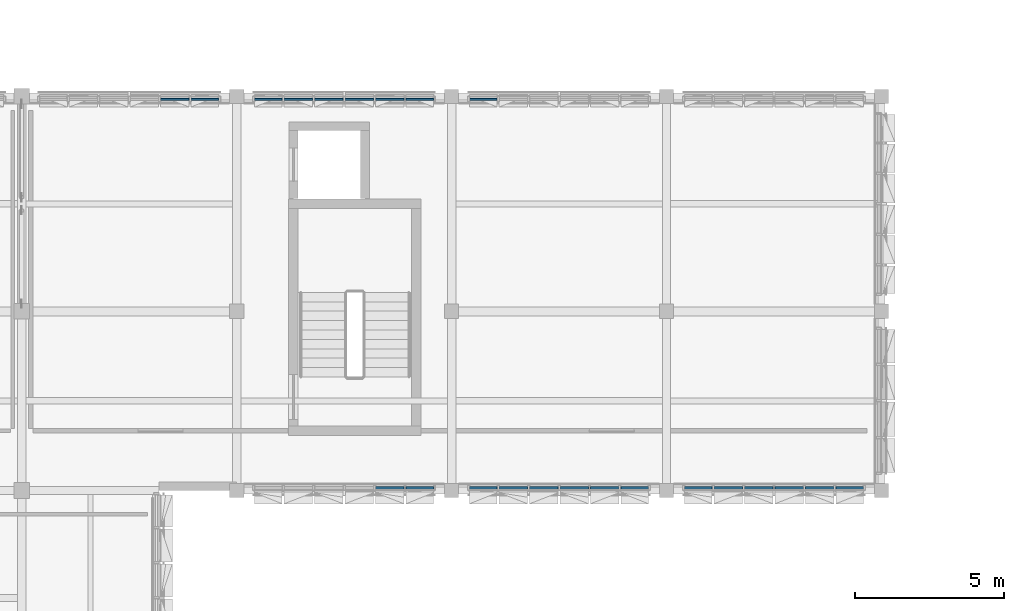
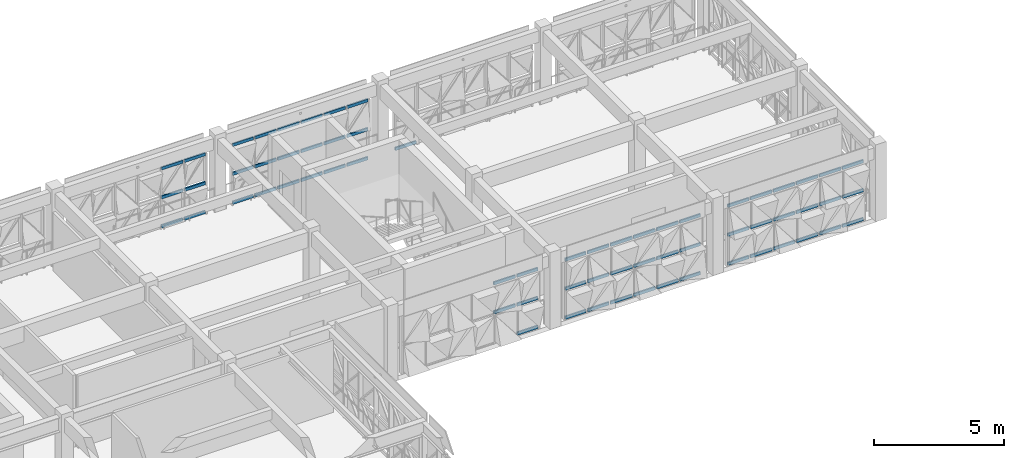
# One storey, part 17 of 48: 66 members, 6 elements without a shape of their own.
"""IFC4 building model written with IfcOpenShell, lengths in metres."""

from ifc_helpers import new_model, si_unit, direction, frame, origin, origin_2d, place, context, subcontext, project, spatial, rectangle, extrude, material, material_profile, profile_set, type_object, element, aggregate, save


model = new_model("IFC4")

# Units and contexts
model_context = context("Model", 3, precision=1e-05, world=origin(), true_north=direction((0.0, 1.0)))
body_context = subcontext(model_context, "Body", "Model", "MODEL_VIEW")
ifc_project = project(units=[si_unit("LENGTHUNIT", "METRE"), si_unit("AREAUNIT", "SQUARE_METRE"), si_unit("VOLUMEUNIT", "CUBIC_METRE"), si_unit("PLANEANGLEUNIT", "RADIAN"), si_unit("MASSUNIT", "GRAM", prefix="KILO")], contexts=[model_context])

# Site, building, storey
site_placement = place(None, origin())
site = spatial("IfcSite", under=ifc_project, at=site_placement, CompositionType="ELEMENT")
building_placement = place(site_placement, origin())
building = spatial("IfcBuilding", under=site, at=building_placement, Name="Alvorim Cloister Faculty of Sciences", CompositionType="ELEMENT")
storey_placement = place(building_placement, frame((0.0, 0.0, 19.35009765625)))
storey = spatial("IfcBuildingStorey", under=building, at=storey_placement, Name="L05", CompositionType="ELEMENT", Elevation=19.35009765625)

# Curtain wall, members
ifc_material_1 = material(Name="Aluminium and Low-E Glass Curtain Wall", Category="aluminium")
curtain_wall_type = type_object("IfcCurtainWallType", Name="CW-TRI-6120x2850", PredefinedType="USERDEFINED", material=ifc_material_1)
curtain_wall_1_placement = place(storey_placement, origin())
curtain_wall_1 = element("IfcCurtainWall", 1, at=curtain_wall_1_placement, inside=storey, type_object=curtain_wall_type, Name="L05 Diagonal Cassette Curtain Wall CW-0223", ObjectType="UNITISED CURTAIN WALL", PredefinedType="USERDEFINED")
ifc_material_2 = material(Name="Aluminium Alloy 6063-T6", Category="aluminium")
ifc_material_profile = material_profile(ifc_material_2, rectangle(XDim=0.06494140625, YDim=0.139892578125, at=origin_2d()), Name="ALU-TRN-65x140")
ifc_profile_set = profile_set([ifc_material_profile], Name="Aluminium Alloy 6063-T6")
member_type = type_object("IfcMemberType", Name="CW-TRN-65x140", PredefinedType="USERDEFINED", material=ifc_profile_set)
member_1_placement = place(storey_placement, frame((33.452392578125, 56.31005859375, 0.06982421875), z_axis=(1.0, 0.0, 0.0), x_axis=(0.0, 1.0, 0.0)))
member_1 = element("IfcMember", 2, at=member_1_placement, type_object=member_type, Name="CW-0223 Transom 5.1", ObjectType="TRANSOM", PredefinedType="USERDEFINED", context=body_context, shape_type="SweptSolid", body=[
    extrude(rectangle(XDim=0.06494140625, YDim=0.139892578125, at=origin_2d()), origin(), (0.0, 0.0, 1.0), 0.955078125),
])
member_2_placement = place(storey_placement, frame((33.452392578125, 56.31005859375, 1.4248046875), z_axis=(1.0, 0.0, 0.0), x_axis=(0.0, 1.0, 0.0)))
member_2 = element("IfcMember", 3, at=member_2_placement, type_object=member_type, Name="CW-0223 Transom 5.2", ObjectType="TRANSOM", PredefinedType="USERDEFINED", context=body_context, shape_type="SweptSolid", body=[
    extrude(rectangle(XDim=0.06494140625, YDim=0.139892578125, at=origin_2d()), origin(), (0.0, 0.0, 1.0), 0.955078125),
])
member_3_placement = place(storey_placement, frame((33.452392578125, 56.31005859375, 2.77978515625), z_axis=(1.0, 0.0, 0.0), x_axis=(0.0, 1.0, 0.0)))
member_3 = element("IfcMember", 4, at=member_3_placement, type_object=member_type, Name="CW-0223 Transom 5.3", ObjectType="TRANSOM", PredefinedType="USERDEFINED", context=body_context, shape_type="SweptSolid", body=[
    extrude(rectangle(XDim=0.06494140625, YDim=0.139892578125, at=origin_2d()), origin(), (0.0, 0.0, 1.0), 0.955078125),
])
member_4_placement = place(storey_placement, frame((34.472412109375, 56.31005859375, 0.06982421875), z_axis=(1.0, 0.0, 0.0), x_axis=(0.0, 1.0, 0.0)))
member_4 = element("IfcMember", 5, at=member_4_placement, type_object=member_type, Name="CW-0223 Transom 6.1", ObjectType="TRANSOM", PredefinedType="USERDEFINED", context=body_context, shape_type="SweptSolid", body=[
    extrude(rectangle(XDim=0.06494140625, YDim=0.139892578125, at=origin_2d()), origin(), (0.0, 0.0, 1.0), 0.922607421875),
])
member_5_placement = place(storey_placement, frame((34.472412109375, 56.31005859375, 1.4248046875), z_axis=(1.0, 0.0, 0.0), x_axis=(0.0, 1.0, 0.0)))
member_5 = element("IfcMember", 6, at=member_5_placement, type_object=member_type, Name="CW-0223 Transom 6.2", ObjectType="TRANSOM", PredefinedType="USERDEFINED", context=body_context, shape_type="SweptSolid", body=[
    extrude(rectangle(XDim=0.06494140625, YDim=0.139892578125, at=origin_2d()), origin(), (0.0, 0.0, 1.0), 0.922607421875),
])
member_6_placement = place(storey_placement, frame((34.472412109375, 56.31005859375, 2.77978515625), z_axis=(1.0, 0.0, 0.0), x_axis=(0.0, 1.0, 0.0)))
member_6 = element("IfcMember", 7, at=member_6_placement, type_object=member_type, Name="CW-0223 Transom 6.3", ObjectType="TRANSOM", PredefinedType="USERDEFINED", context=body_context, shape_type="SweptSolid", body=[
    extrude(rectangle(XDim=0.06494140625, YDim=0.139892578125, at=origin_2d()), origin(), (0.0, 0.0, 1.0), 0.922607421875),
])
aggregate(curtain_wall_1, [member_1, member_2, member_3, member_4, member_5, member_6])

curtain_wall_2_placement = place(storey_placement, origin())
curtain_wall_2 = element("IfcCurtainWall", 8, at=curtain_wall_2_placement, inside=storey, type_object=curtain_wall_type, Name="L05 Diagonal Cassette Curtain Wall CW-0224", ObjectType="UNITISED CURTAIN WALL", PredefinedType="USERDEFINED")
member_7_placement = place(storey_placement, frame((36.60498046875, 56.31005859375, 0.06982421875), z_axis=(1.0, 0.0, 0.0), x_axis=(0.0, 1.0, 0.0)))
member_7 = element("IfcMember", 9, at=member_7_placement, type_object=member_type, Name="CW-0224 Transom 1.1", ObjectType="TRANSOM", PredefinedType="USERDEFINED", context=body_context, shape_type="SweptSolid", body=[
    extrude(rectangle(XDim=0.06494140625, YDim=0.139892578125, at=origin_2d()), origin(), (0.0, 0.0, 1.0), 0.922607421875),
])
member_8_placement = place(storey_placement, frame((36.60498046875, 56.31005859375, 1.4248046875), z_axis=(1.0, 0.0, 0.0), x_axis=(0.0, 1.0, 0.0)))
member_8 = element("IfcMember", 10, at=member_8_placement, type_object=member_type, Name="CW-0224 Transom 1.2", ObjectType="TRANSOM", PredefinedType="USERDEFINED", context=body_context, shape_type="SweptSolid", body=[
    extrude(rectangle(XDim=0.06494140625, YDim=0.139892578125, at=origin_2d()), origin(), (0.0, 0.0, 1.0), 0.922607421875),
])
member_9_placement = place(storey_placement, frame((36.60498046875, 56.31005859375, 2.77978515625), z_axis=(1.0, 0.0, 0.0), x_axis=(0.0, 1.0, 0.0)))
member_9 = element("IfcMember", 11, at=member_9_placement, type_object=member_type, Name="CW-0224 Transom 1.3", ObjectType="TRANSOM", PredefinedType="USERDEFINED", context=body_context, shape_type="SweptSolid", body=[
    extrude(rectangle(XDim=0.06494140625, YDim=0.139892578125, at=origin_2d()), origin(), (0.0, 0.0, 1.0), 0.922607421875),
])
member_10_placement = place(storey_placement, frame((37.592529296875, 56.31005859375, 0.06982421875), z_axis=(1.0, 0.0, 0.0), x_axis=(0.0, 1.0, 0.0)))
member_10 = element("IfcMember", 12, at=member_10_placement, type_object=member_type, Name="CW-0224 Transom 2.1", ObjectType="TRANSOM", PredefinedType="USERDEFINED", context=body_context, shape_type="SweptSolid", body=[
    extrude(rectangle(XDim=0.06494140625, YDim=0.139892578125, at=origin_2d()), origin(), (0.0, 0.0, 1.0), 0.955078125),
])
member_11_placement = place(storey_placement, frame((37.592529296875, 56.31005859375, 1.4248046875), z_axis=(1.0, 0.0, 0.0), x_axis=(0.0, 1.0, 0.0)))
member_11 = element("IfcMember", 13, at=member_11_placement, type_object=member_type, Name="CW-0224 Transom 2.2", ObjectType="TRANSOM", PredefinedType="USERDEFINED", context=body_context, shape_type="SweptSolid", body=[
    extrude(rectangle(XDim=0.06494140625, YDim=0.139892578125, at=origin_2d()), origin(), (0.0, 0.0, 1.0), 0.955078125),
])
member_12_placement = place(storey_placement, frame((37.592529296875, 56.31005859375, 2.77978515625), z_axis=(1.0, 0.0, 0.0), x_axis=(0.0, 1.0, 0.0)))
member_12 = element("IfcMember", 14, at=member_12_placement, type_object=member_type, Name="CW-0224 Transom 2.3", ObjectType="TRANSOM", PredefinedType="USERDEFINED", context=body_context, shape_type="SweptSolid", body=[
    extrude(rectangle(XDim=0.06494140625, YDim=0.139892578125, at=origin_2d()), origin(), (0.0, 0.0, 1.0), 0.955078125),
])
member_13_placement = place(storey_placement, frame((38.612548828125, 56.31005859375, 0.06982421875), z_axis=(1.0, 0.0, 0.0), x_axis=(0.0, 1.0, 0.0)))
member_13 = element("IfcMember", 15, at=member_13_placement, type_object=member_type, Name="CW-0224 Transom 3.1", ObjectType="TRANSOM", PredefinedType="USERDEFINED", context=body_context, shape_type="SweptSolid", body=[
    extrude(rectangle(XDim=0.06494140625, YDim=0.139892578125, at=origin_2d()), origin(), (0.0, 0.0, 1.0), 0.954833984375),
])
member_14_placement = place(storey_placement, frame((38.612548828125, 56.31005859375, 1.4248046875), z_axis=(1.0, 0.0, 0.0), x_axis=(0.0, 1.0, 0.0)))
member_14 = element("IfcMember", 16, at=member_14_placement, type_object=member_type, Name="CW-0224 Transom 3.2", ObjectType="TRANSOM", PredefinedType="USERDEFINED", context=body_context, shape_type="SweptSolid", body=[
    extrude(rectangle(XDim=0.06494140625, YDim=0.139892578125, at=origin_2d()), origin(), (0.0, 0.0, 1.0), 0.954833984375),
])
member_15_placement = place(storey_placement, frame((38.612548828125, 56.31005859375, 2.77978515625), z_axis=(1.0, 0.0, 0.0), x_axis=(0.0, 1.0, 0.0)))
member_15 = element("IfcMember", 17, at=member_15_placement, type_object=member_type, Name="CW-0224 Transom 3.3", ObjectType="TRANSOM", PredefinedType="USERDEFINED", context=body_context, shape_type="SweptSolid", body=[
    extrude(rectangle(XDim=0.06494140625, YDim=0.139892578125, at=origin_2d()), origin(), (0.0, 0.0, 1.0), 0.954833984375),
])
member_16_placement = place(storey_placement, frame((39.632568359375, 56.31005859375, 0.06982421875), z_axis=(1.0, 0.0, 0.0), x_axis=(0.0, 1.0, 0.0)))
member_16 = element("IfcMember", 18, at=member_16_placement, type_object=member_type, Name="CW-0224 Transom 4.1", ObjectType="TRANSOM", PredefinedType="USERDEFINED", context=body_context, shape_type="SweptSolid", body=[
    extrude(rectangle(XDim=0.06494140625, YDim=0.139892578125, at=origin_2d()), origin(), (0.0, 0.0, 1.0), 0.954833984375),
])
member_17_placement = place(storey_placement, frame((39.632568359375, 56.31005859375, 1.4248046875), z_axis=(1.0, 0.0, 0.0), x_axis=(0.0, 1.0, 0.0)))
member_17 = element("IfcMember", 19, at=member_17_placement, type_object=member_type, Name="CW-0224 Transom 4.2", ObjectType="TRANSOM", PredefinedType="USERDEFINED", context=body_context, shape_type="SweptSolid", body=[
    extrude(rectangle(XDim=0.06494140625, YDim=0.139892578125, at=origin_2d()), origin(), (0.0, 0.0, 1.0), 0.954833984375),
])
member_18_placement = place(storey_placement, frame((39.632568359375, 56.31005859375, 2.77978515625), z_axis=(1.0, 0.0, 0.0), x_axis=(0.0, 1.0, 0.0)))
member_18 = element("IfcMember", 20, at=member_18_placement, type_object=member_type, Name="CW-0224 Transom 4.3", ObjectType="TRANSOM", PredefinedType="USERDEFINED", context=body_context, shape_type="SweptSolid", body=[
    extrude(rectangle(XDim=0.06494140625, YDim=0.139892578125, at=origin_2d()), origin(), (0.0, 0.0, 1.0), 0.954833984375),
])
member_19_placement = place(storey_placement, frame((40.652587890625, 56.31005859375, 0.06982421875), z_axis=(1.0, 0.0, 0.0), x_axis=(0.0, 1.0, 0.0)))
member_19 = element("IfcMember", 21, at=member_19_placement, type_object=member_type, Name="CW-0224 Transom 5.1", ObjectType="TRANSOM", PredefinedType="USERDEFINED", context=body_context, shape_type="SweptSolid", body=[
    extrude(rectangle(XDim=0.06494140625, YDim=0.139892578125, at=origin_2d()), origin(), (0.0, 0.0, 1.0), 0.954833984375),
])
member_20_placement = place(storey_placement, frame((40.652587890625, 56.31005859375, 1.4248046875), z_axis=(1.0, 0.0, 0.0), x_axis=(0.0, 1.0, 0.0)))
member_20 = element("IfcMember", 22, at=member_20_placement, type_object=member_type, Name="CW-0224 Transom 5.2", ObjectType="TRANSOM", PredefinedType="USERDEFINED", context=body_context, shape_type="SweptSolid", body=[
    extrude(rectangle(XDim=0.06494140625, YDim=0.139892578125, at=origin_2d()), origin(), (0.0, 0.0, 1.0), 0.954833984375),
])
member_21_placement = place(storey_placement, frame((40.652587890625, 56.31005859375, 2.77978515625), z_axis=(1.0, 0.0, 0.0), x_axis=(0.0, 1.0, 0.0)))
member_21 = element("IfcMember", 23, at=member_21_placement, type_object=member_type, Name="CW-0224 Transom 5.3", ObjectType="TRANSOM", PredefinedType="USERDEFINED", context=body_context, shape_type="SweptSolid", body=[
    extrude(rectangle(XDim=0.06494140625, YDim=0.139892578125, at=origin_2d()), origin(), (0.0, 0.0, 1.0), 0.954833984375),
])
member_22_placement = place(storey_placement, frame((41.672607421875, 56.31005859375, 0.06982421875), z_axis=(1.0, 0.0, 0.0), x_axis=(0.0, 1.0, 0.0)))
member_22 = element("IfcMember", 24, at=member_22_placement, type_object=member_type, Name="CW-0224 Transom 6.1", ObjectType="TRANSOM", PredefinedType="USERDEFINED", context=body_context, shape_type="SweptSolid", body=[
    extrude(rectangle(XDim=0.06494140625, YDim=0.139892578125, at=origin_2d()), origin(), (0.0, 0.0, 1.0), 0.92236328125),
])
member_23_placement = place(storey_placement, frame((41.672607421875, 56.31005859375, 1.4248046875), z_axis=(1.0, 0.0, 0.0), x_axis=(0.0, 1.0, 0.0)))
member_23 = element("IfcMember", 25, at=member_23_placement, type_object=member_type, Name="CW-0224 Transom 6.2", ObjectType="TRANSOM", PredefinedType="USERDEFINED", context=body_context, shape_type="SweptSolid", body=[
    extrude(rectangle(XDim=0.06494140625, YDim=0.139892578125, at=origin_2d()), origin(), (0.0, 0.0, 1.0), 0.92236328125),
])
member_24_placement = place(storey_placement, frame((41.672607421875, 56.31005859375, 2.77978515625), z_axis=(1.0, 0.0, 0.0), x_axis=(0.0, 1.0, 0.0)))
member_24 = element("IfcMember", 26, at=member_24_placement, type_object=member_type, Name="CW-0224 Transom 6.3", ObjectType="TRANSOM", PredefinedType="USERDEFINED", context=body_context, shape_type="SweptSolid", body=[
    extrude(rectangle(XDim=0.06494140625, YDim=0.139892578125, at=origin_2d()), origin(), (0.0, 0.0, 1.0), 0.92236328125),
])
aggregate(curtain_wall_2, [member_7, member_8, member_9, member_10, member_11, member_12, member_13, member_14, member_15, member_16, member_17, member_18, member_19, member_20, member_21, member_22, member_23, member_24])

# Curtain wall, member
curtain_wall_3_placement = place(storey_placement, origin())
curtain_wall_3 = element("IfcCurtainWall", 27, at=curtain_wall_3_placement, inside=storey, type_object=curtain_wall_type, Name="L05 Diagonal Cassette Curtain Wall CW-0225", ObjectType="UNITISED CURTAIN WALL", PredefinedType="USERDEFINED")
member_25_placement = place(storey_placement, frame((43.804931640625, 56.31005859375, 0.06982421875), z_axis=(1.0, 0.0, 0.0), x_axis=(0.0, 1.0, 0.0)))
member_25 = element("IfcMember", 28, at=member_25_placement, type_object=member_type, Name="CW-0225 Transom 1.1", ObjectType="TRANSOM", PredefinedType="USERDEFINED", context=body_context, shape_type="SweptSolid", body=[
    extrude(rectangle(XDim=0.06494140625, YDim=0.139892578125, at=origin_2d()), origin(), (0.0, 0.0, 1.0), 0.922607421875),
])
aggregate(curtain_wall_3, [member_25])

# Curtain wall, members
curtain_wall_4_placement = place(storey_placement, origin())
curtain_wall_4 = element("IfcCurtainWall", 29, at=curtain_wall_4_placement, inside=storey, type_object=curtain_wall_type, Name="L05 Diagonal Cassette Curtain Wall CW-0229", ObjectType="UNITISED CURTAIN WALL", PredefinedType="USERDEFINED")
member_26_placement = place(storey_placement, frame((51.0048828125, 43.2900390625, 0.06982421875), z_axis=(1.0, 0.0, 0.0), x_axis=(0.0, 1.0, 0.0)))
member_26 = element("IfcMember", 30, at=member_26_placement, type_object=member_type, Name="CW-0229 Transom 1.1", ObjectType="TRANSOM", PredefinedType="USERDEFINED", context=body_context, shape_type="SweptSolid", body=[
    extrude(rectangle(XDim=0.06494140625, YDim=0.139892578125, at=origin_2d()), origin(), (0.0, 0.0, 1.0), 0.922607421875),
])
member_27_placement = place(storey_placement, frame((51.0048828125, 43.2900390625, 1.4248046875), z_axis=(1.0, 0.0, 0.0), x_axis=(0.0, 1.0, 0.0)))
member_27 = element("IfcMember", 31, at=member_27_placement, type_object=member_type, Name="CW-0229 Transom 1.2", ObjectType="TRANSOM", PredefinedType="USERDEFINED", context=body_context, shape_type="SweptSolid", body=[
    extrude(rectangle(XDim=0.06494140625, YDim=0.139892578125, at=origin_2d()), origin(), (0.0, 0.0, 1.0), 0.922607421875),
])
member_28_placement = place(storey_placement, frame((51.0048828125, 43.2900390625, 2.77978515625), z_axis=(1.0, 0.0, 0.0), x_axis=(0.0, 1.0, 0.0)))
member_28 = element("IfcMember", 32, at=member_28_placement, type_object=member_type, Name="CW-0229 Transom 1.3", ObjectType="TRANSOM", PredefinedType="USERDEFINED", context=body_context, shape_type="SweptSolid", body=[
    extrude(rectangle(XDim=0.06494140625, YDim=0.139892578125, at=origin_2d()), origin(), (0.0, 0.0, 1.0), 0.922607421875),
])
member_29_placement = place(storey_placement, frame((51.992431640625, 43.2900390625, 0.06982421875), z_axis=(1.0, 0.0, 0.0), x_axis=(0.0, 1.0, 0.0)))
member_29 = element("IfcMember", 33, at=member_29_placement, type_object=member_type, Name="CW-0229 Transom 2.1", ObjectType="TRANSOM", PredefinedType="USERDEFINED", context=body_context, shape_type="SweptSolid", body=[
    extrude(rectangle(XDim=0.06494140625, YDim=0.139892578125, at=origin_2d()), origin(), (0.0, 0.0, 1.0), 0.955078125),
])
member_30_placement = place(storey_placement, frame((51.992431640625, 43.2900390625, 1.4248046875), z_axis=(1.0, 0.0, 0.0), x_axis=(0.0, 1.0, 0.0)))
member_30 = element("IfcMember", 34, at=member_30_placement, type_object=member_type, Name="CW-0229 Transom 2.2", ObjectType="TRANSOM", PredefinedType="USERDEFINED", context=body_context, shape_type="SweptSolid", body=[
    extrude(rectangle(XDim=0.06494140625, YDim=0.139892578125, at=origin_2d()), origin(), (0.0, 0.0, 1.0), 0.955078125),
])
member_31_placement = place(storey_placement, frame((51.992431640625, 43.2900390625, 2.77978515625), z_axis=(1.0, 0.0, 0.0), x_axis=(0.0, 1.0, 0.0)))
member_31 = element("IfcMember", 35, at=member_31_placement, type_object=member_type, Name="CW-0229 Transom 2.3", ObjectType="TRANSOM", PredefinedType="USERDEFINED", context=body_context, shape_type="SweptSolid", body=[
    extrude(rectangle(XDim=0.06494140625, YDim=0.139892578125, at=origin_2d()), origin(), (0.0, 0.0, 1.0), 0.955078125),
])
member_32_placement = place(storey_placement, frame((53.012451171875, 43.2900390625, 0.06982421875), z_axis=(1.0, 0.0, 0.0), x_axis=(0.0, 1.0, 0.0)))
member_32 = element("IfcMember", 36, at=member_32_placement, type_object=member_type, Name="CW-0229 Transom 3.1", ObjectType="TRANSOM", PredefinedType="USERDEFINED", context=body_context, shape_type="SweptSolid", body=[
    extrude(rectangle(XDim=0.06494140625, YDim=0.139892578125, at=origin_2d()), origin(), (0.0, 0.0, 1.0), 0.955078125),
])
member_33_placement = place(storey_placement, frame((53.012451171875, 43.2900390625, 1.4248046875), z_axis=(1.0, 0.0, 0.0), x_axis=(0.0, 1.0, 0.0)))
member_33 = element("IfcMember", 37, at=member_33_placement, type_object=member_type, Name="CW-0229 Transom 3.2", ObjectType="TRANSOM", PredefinedType="USERDEFINED", context=body_context, shape_type="SweptSolid", body=[
    extrude(rectangle(XDim=0.06494140625, YDim=0.139892578125, at=origin_2d()), origin(), (0.0, 0.0, 1.0), 0.955078125),
])
member_34_placement = place(storey_placement, frame((53.012451171875, 43.2900390625, 2.77978515625), z_axis=(1.0, 0.0, 0.0), x_axis=(0.0, 1.0, 0.0)))
member_34 = element("IfcMember", 38, at=member_34_placement, type_object=member_type, Name="CW-0229 Transom 3.3", ObjectType="TRANSOM", PredefinedType="USERDEFINED", context=body_context, shape_type="SweptSolid", body=[
    extrude(rectangle(XDim=0.06494140625, YDim=0.139892578125, at=origin_2d()), origin(), (0.0, 0.0, 1.0), 0.955078125),
])
member_35_placement = place(storey_placement, frame((54.032470703125, 43.2900390625, 0.06982421875), z_axis=(1.0, 0.0, 0.0), x_axis=(0.0, 1.0, 0.0)))
member_35 = element("IfcMember", 39, at=member_35_placement, type_object=member_type, Name="CW-0229 Transom 4.1", ObjectType="TRANSOM", PredefinedType="USERDEFINED", context=body_context, shape_type="SweptSolid", body=[
    extrude(rectangle(XDim=0.06494140625, YDim=0.139892578125, at=origin_2d()), origin(), (0.0, 0.0, 1.0), 0.955078125),
])
member_36_placement = place(storey_placement, frame((54.032470703125, 43.2900390625, 1.4248046875), z_axis=(1.0, 0.0, 0.0), x_axis=(0.0, 1.0, 0.0)))
member_36 = element("IfcMember", 40, at=member_36_placement, type_object=member_type, Name="CW-0229 Transom 4.2", ObjectType="TRANSOM", PredefinedType="USERDEFINED", context=body_context, shape_type="SweptSolid", body=[
    extrude(rectangle(XDim=0.06494140625, YDim=0.139892578125, at=origin_2d()), origin(), (0.0, 0.0, 1.0), 0.955078125),
])
member_37_placement = place(storey_placement, frame((54.032470703125, 43.2900390625, 2.77978515625), z_axis=(1.0, 0.0, 0.0), x_axis=(0.0, 1.0, 0.0)))
member_37 = element("IfcMember", 41, at=member_37_placement, type_object=member_type, Name="CW-0229 Transom 4.3", ObjectType="TRANSOM", PredefinedType="USERDEFINED", context=body_context, shape_type="SweptSolid", body=[
    extrude(rectangle(XDim=0.06494140625, YDim=0.139892578125, at=origin_2d()), origin(), (0.0, 0.0, 1.0), 0.955078125),
])
member_38_placement = place(storey_placement, frame((55.052490234375, 43.2900390625, 0.06982421875), z_axis=(1.0, 0.0, 0.0), x_axis=(0.0, 1.0, 0.0)))
member_38 = element("IfcMember", 42, at=member_38_placement, type_object=member_type, Name="CW-0229 Transom 5.1", ObjectType="TRANSOM", PredefinedType="USERDEFINED", context=body_context, shape_type="SweptSolid", body=[
    extrude(rectangle(XDim=0.06494140625, YDim=0.139892578125, at=origin_2d()), origin(), (0.0, 0.0, 1.0), 0.955078125),
])
member_39_placement = place(storey_placement, frame((55.052490234375, 43.2900390625, 1.4248046875), z_axis=(1.0, 0.0, 0.0), x_axis=(0.0, 1.0, 0.0)))
member_39 = element("IfcMember", 43, at=member_39_placement, type_object=member_type, Name="CW-0229 Transom 5.2", ObjectType="TRANSOM", PredefinedType="USERDEFINED", context=body_context, shape_type="SweptSolid", body=[
    extrude(rectangle(XDim=0.06494140625, YDim=0.139892578125, at=origin_2d()), origin(), (0.0, 0.0, 1.0), 0.955078125),
])
member_40_placement = place(storey_placement, frame((55.052490234375, 43.2900390625, 2.77978515625), z_axis=(1.0, 0.0, 0.0), x_axis=(0.0, 1.0, 0.0)))
member_40 = element("IfcMember", 44, at=member_40_placement, type_object=member_type, Name="CW-0229 Transom 5.3", ObjectType="TRANSOM", PredefinedType="USERDEFINED", context=body_context, shape_type="SweptSolid", body=[
    extrude(rectangle(XDim=0.06494140625, YDim=0.139892578125, at=origin_2d()), origin(), (0.0, 0.0, 1.0), 0.955078125),
])
member_41_placement = place(storey_placement, frame((56.072509765625, 43.2900390625, 0.06982421875), z_axis=(1.0, 0.0, 0.0), x_axis=(0.0, 1.0, 0.0)))
member_41 = element("IfcMember", 45, at=member_41_placement, type_object=member_type, Name="CW-0229 Transom 6.1", ObjectType="TRANSOM", PredefinedType="USERDEFINED", context=body_context, shape_type="SweptSolid", body=[
    extrude(rectangle(XDim=0.06494140625, YDim=0.139892578125, at=origin_2d()), origin(), (0.0, 0.0, 1.0), 0.922607421875),
])
member_42_placement = place(storey_placement, frame((56.072509765625, 43.2900390625, 1.4248046875), z_axis=(1.0, 0.0, 0.0), x_axis=(0.0, 1.0, 0.0)))
member_42 = element("IfcMember", 46, at=member_42_placement, type_object=member_type, Name="CW-0229 Transom 6.2", ObjectType="TRANSOM", PredefinedType="USERDEFINED", context=body_context, shape_type="SweptSolid", body=[
    extrude(rectangle(XDim=0.06494140625, YDim=0.139892578125, at=origin_2d()), origin(), (0.0, 0.0, 1.0), 0.922607421875),
])
member_43_placement = place(storey_placement, frame((56.072509765625, 43.2900390625, 2.77978515625), z_axis=(1.0, 0.0, 0.0), x_axis=(0.0, 1.0, 0.0)))
member_43 = element("IfcMember", 47, at=member_43_placement, type_object=member_type, Name="CW-0229 Transom 6.3", ObjectType="TRANSOM", PredefinedType="USERDEFINED", context=body_context, shape_type="SweptSolid", body=[
    extrude(rectangle(XDim=0.06494140625, YDim=0.139892578125, at=origin_2d()), origin(), (0.0, 0.0, 1.0), 0.922607421875),
])
aggregate(curtain_wall_4, [member_26, member_27, member_28, member_29, member_30, member_31, member_32, member_33, member_34, member_35, member_36, member_37, member_38, member_39, member_40, member_41, member_42, member_43])

curtain_wall_5_placement = place(storey_placement, origin())
curtain_wall_5 = element("IfcCurtainWall", 48, at=curtain_wall_5_placement, inside=storey, type_object=curtain_wall_type, Name="L05 Diagonal Cassette Curtain Wall CW-0230", ObjectType="UNITISED CURTAIN WALL", PredefinedType="USERDEFINED")
member_44_placement = place(storey_placement, frame((43.804931640625, 43.2900390625, 0.06982421875), z_axis=(1.0, 0.0, 0.0), x_axis=(0.0, 1.0, 0.0)))
member_44 = element("IfcMember", 49, at=member_44_placement, type_object=member_type, Name="CW-0230 Transom 1.1", ObjectType="TRANSOM", PredefinedType="USERDEFINED", context=body_context, shape_type="SweptSolid", body=[
    extrude(rectangle(XDim=0.06494140625, YDim=0.139892578125, at=origin_2d()), origin(), (0.0, 0.0, 1.0), 0.922607421875),
])
member_45_placement = place(storey_placement, frame((43.804931640625, 43.2900390625, 1.4248046875), z_axis=(1.0, 0.0, 0.0), x_axis=(0.0, 1.0, 0.0)))
member_45 = element("IfcMember", 50, at=member_45_placement, type_object=member_type, Name="CW-0230 Transom 1.2", ObjectType="TRANSOM", PredefinedType="USERDEFINED", context=body_context, shape_type="SweptSolid", body=[
    extrude(rectangle(XDim=0.06494140625, YDim=0.139892578125, at=origin_2d()), origin(), (0.0, 0.0, 1.0), 0.922607421875),
])
member_46_placement = place(storey_placement, frame((43.804931640625, 43.2900390625, 2.77978515625), z_axis=(1.0, 0.0, 0.0), x_axis=(0.0, 1.0, 0.0)))
member_46 = element("IfcMember", 51, at=member_46_placement, type_object=member_type, Name="CW-0230 Transom 1.3", ObjectType="TRANSOM", PredefinedType="USERDEFINED", context=body_context, shape_type="SweptSolid", body=[
    extrude(rectangle(XDim=0.06494140625, YDim=0.139892578125, at=origin_2d()), origin(), (0.0, 0.0, 1.0), 0.922607421875),
])
member_47_placement = place(storey_placement, frame((44.79248046875, 43.2900390625, 0.06982421875), z_axis=(1.0, 0.0, 0.0), x_axis=(0.0, 1.0, 0.0)))
member_47 = element("IfcMember", 52, at=member_47_placement, type_object=member_type, Name="CW-0230 Transom 2.1", ObjectType="TRANSOM", PredefinedType="USERDEFINED", context=body_context, shape_type="SweptSolid", body=[
    extrude(rectangle(XDim=0.06494140625, YDim=0.139892578125, at=origin_2d()), origin(), (0.0, 0.0, 1.0), 0.955078125),
])
member_48_placement = place(storey_placement, frame((44.79248046875, 43.2900390625, 1.4248046875), z_axis=(1.0, 0.0, 0.0), x_axis=(0.0, 1.0, 0.0)))
member_48 = element("IfcMember", 53, at=member_48_placement, type_object=member_type, Name="CW-0230 Transom 2.2", ObjectType="TRANSOM", PredefinedType="USERDEFINED", context=body_context, shape_type="SweptSolid", body=[
    extrude(rectangle(XDim=0.06494140625, YDim=0.139892578125, at=origin_2d()), origin(), (0.0, 0.0, 1.0), 0.955078125),
])
member_49_placement = place(storey_placement, frame((44.79248046875, 43.2900390625, 2.77978515625), z_axis=(1.0, 0.0, 0.0), x_axis=(0.0, 1.0, 0.0)))
member_49 = element("IfcMember", 54, at=member_49_placement, type_object=member_type, Name="CW-0230 Transom 2.3", ObjectType="TRANSOM", PredefinedType="USERDEFINED", context=body_context, shape_type="SweptSolid", body=[
    extrude(rectangle(XDim=0.06494140625, YDim=0.139892578125, at=origin_2d()), origin(), (0.0, 0.0, 1.0), 0.955078125),
])
member_50_placement = place(storey_placement, frame((45.8125, 43.2900390625, 0.06982421875), z_axis=(1.0, 0.0, 0.0), x_axis=(0.0, 1.0, 0.0)))
member_50 = element("IfcMember", 55, at=member_50_placement, type_object=member_type, Name="CW-0230 Transom 3.1", ObjectType="TRANSOM", PredefinedType="USERDEFINED", context=body_context, shape_type="SweptSolid", body=[
    extrude(rectangle(XDim=0.06494140625, YDim=0.139892578125, at=origin_2d()), origin(), (0.0, 0.0, 1.0), 0.955078125),
])
member_51_placement = place(storey_placement, frame((45.8125, 43.2900390625, 1.4248046875), z_axis=(1.0, 0.0, 0.0), x_axis=(0.0, 1.0, 0.0)))
member_51 = element("IfcMember", 56, at=member_51_placement, type_object=member_type, Name="CW-0230 Transom 3.2", ObjectType="TRANSOM", PredefinedType="USERDEFINED", context=body_context, shape_type="SweptSolid", body=[
    extrude(rectangle(XDim=0.06494140625, YDim=0.139892578125, at=origin_2d()), origin(), (0.0, 0.0, 1.0), 0.955078125),
])
member_52_placement = place(storey_placement, frame((45.8125, 43.2900390625, 2.77978515625), z_axis=(1.0, 0.0, 0.0), x_axis=(0.0, 1.0, 0.0)))
member_52 = element("IfcMember", 57, at=member_52_placement, type_object=member_type, Name="CW-0230 Transom 3.3", ObjectType="TRANSOM", PredefinedType="USERDEFINED", context=body_context, shape_type="SweptSolid", body=[
    extrude(rectangle(XDim=0.06494140625, YDim=0.139892578125, at=origin_2d()), origin(), (0.0, 0.0, 1.0), 0.955078125),
])
member_53_placement = place(storey_placement, frame((46.83251953125, 43.2900390625, 0.06982421875), z_axis=(1.0, 0.0, 0.0), x_axis=(0.0, 1.0, 0.0)))
member_53 = element("IfcMember", 58, at=member_53_placement, type_object=member_type, Name="CW-0230 Transom 4.1", ObjectType="TRANSOM", PredefinedType="USERDEFINED", context=body_context, shape_type="SweptSolid", body=[
    extrude(rectangle(XDim=0.06494140625, YDim=0.139892578125, at=origin_2d()), origin(), (0.0, 0.0, 1.0), 0.955078125),
])
member_54_placement = place(storey_placement, frame((46.83251953125, 43.2900390625, 1.4248046875), z_axis=(1.0, 0.0, 0.0), x_axis=(0.0, 1.0, 0.0)))
member_54 = element("IfcMember", 59, at=member_54_placement, type_object=member_type, Name="CW-0230 Transom 4.2", ObjectType="TRANSOM", PredefinedType="USERDEFINED", context=body_context, shape_type="SweptSolid", body=[
    extrude(rectangle(XDim=0.06494140625, YDim=0.139892578125, at=origin_2d()), origin(), (0.0, 0.0, 1.0), 0.955078125),
])
member_55_placement = place(storey_placement, frame((46.83251953125, 43.2900390625, 2.77978515625), z_axis=(1.0, 0.0, 0.0), x_axis=(0.0, 1.0, 0.0)))
member_55 = element("IfcMember", 60, at=member_55_placement, type_object=member_type, Name="CW-0230 Transom 4.3", ObjectType="TRANSOM", PredefinedType="USERDEFINED", context=body_context, shape_type="SweptSolid", body=[
    extrude(rectangle(XDim=0.06494140625, YDim=0.139892578125, at=origin_2d()), origin(), (0.0, 0.0, 1.0), 0.955078125),
])
member_56_placement = place(storey_placement, frame((47.8525390625, 43.2900390625, 0.06982421875), z_axis=(1.0, 0.0, 0.0), x_axis=(0.0, 1.0, 0.0)))
member_56 = element("IfcMember", 61, at=member_56_placement, type_object=member_type, Name="CW-0230 Transom 5.1", ObjectType="TRANSOM", PredefinedType="USERDEFINED", context=body_context, shape_type="SweptSolid", body=[
    extrude(rectangle(XDim=0.06494140625, YDim=0.139892578125, at=origin_2d()), origin(), (0.0, 0.0, 1.0), 0.955078125),
])
member_57_placement = place(storey_placement, frame((47.8525390625, 43.2900390625, 1.4248046875), z_axis=(1.0, 0.0, 0.0), x_axis=(0.0, 1.0, 0.0)))
member_57 = element("IfcMember", 62, at=member_57_placement, type_object=member_type, Name="CW-0230 Transom 5.2", ObjectType="TRANSOM", PredefinedType="USERDEFINED", context=body_context, shape_type="SweptSolid", body=[
    extrude(rectangle(XDim=0.06494140625, YDim=0.139892578125, at=origin_2d()), origin(), (0.0, 0.0, 1.0), 0.955078125),
])
member_58_placement = place(storey_placement, frame((47.8525390625, 43.2900390625, 2.77978515625), z_axis=(1.0, 0.0, 0.0), x_axis=(0.0, 1.0, 0.0)))
member_58 = element("IfcMember", 63, at=member_58_placement, type_object=member_type, Name="CW-0230 Transom 5.3", ObjectType="TRANSOM", PredefinedType="USERDEFINED", context=body_context, shape_type="SweptSolid", body=[
    extrude(rectangle(XDim=0.06494140625, YDim=0.139892578125, at=origin_2d()), origin(), (0.0, 0.0, 1.0), 0.955078125),
])
member_59_placement = place(storey_placement, frame((48.87255859375, 43.2900390625, 0.06982421875), z_axis=(1.0, 0.0, 0.0), x_axis=(0.0, 1.0, 0.0)))
member_59 = element("IfcMember", 64, at=member_59_placement, type_object=member_type, Name="CW-0230 Transom 6.1", ObjectType="TRANSOM", PredefinedType="USERDEFINED", context=body_context, shape_type="SweptSolid", body=[
    extrude(rectangle(XDim=0.06494140625, YDim=0.139892578125, at=origin_2d()), origin(), (0.0, 0.0, 1.0), 0.92236328125),
])
member_60_placement = place(storey_placement, frame((48.87255859375, 43.2900390625, 1.4248046875), z_axis=(1.0, 0.0, 0.0), x_axis=(0.0, 1.0, 0.0)))
member_60 = element("IfcMember", 65, at=member_60_placement, type_object=member_type, Name="CW-0230 Transom 6.2", ObjectType="TRANSOM", PredefinedType="USERDEFINED", context=body_context, shape_type="SweptSolid", body=[
    extrude(rectangle(XDim=0.06494140625, YDim=0.139892578125, at=origin_2d()), origin(), (0.0, 0.0, 1.0), 0.92236328125),
])
member_61_placement = place(storey_placement, frame((48.87255859375, 43.2900390625, 2.77978515625), z_axis=(1.0, 0.0, 0.0), x_axis=(0.0, 1.0, 0.0)))
member_61 = element("IfcMember", 66, at=member_61_placement, type_object=member_type, Name="CW-0230 Transom 6.3", ObjectType="TRANSOM", PredefinedType="USERDEFINED", context=body_context, shape_type="SweptSolid", body=[
    extrude(rectangle(XDim=0.06494140625, YDim=0.139892578125, at=origin_2d()), origin(), (0.0, 0.0, 1.0), 0.92236328125),
])
aggregate(curtain_wall_5, [member_44, member_45, member_46, member_47, member_48, member_49, member_50, member_51, member_52, member_53, member_54, member_55, member_56, member_57, member_58, member_59, member_60, member_61])

curtain_wall_6_placement = place(storey_placement, origin())
curtain_wall_6 = element("IfcCurtainWall", 67, at=curtain_wall_6_placement, inside=storey, type_object=curtain_wall_type, Name="L05 Diagonal Cassette Curtain Wall CW-0231", ObjectType="UNITISED CURTAIN WALL", PredefinedType="USERDEFINED")
member_62_placement = place(storey_placement, frame((40.652587890625, 43.2900390625, 1.4248046875), z_axis=(1.0, 0.0, 0.0), x_axis=(0.0, 1.0, 0.0)))
member_62 = element("IfcMember", 68, at=member_62_placement, type_object=member_type, Name="CW-0231 Transom 5.2", ObjectType="TRANSOM", PredefinedType="USERDEFINED", context=body_context, shape_type="SweptSolid", body=[
    extrude(rectangle(XDim=0.06494140625, YDim=0.139892578125, at=origin_2d()), origin(), (0.0, 0.0, 1.0), 0.954833984375),
])
member_63_placement = place(storey_placement, frame((40.652587890625, 43.2900390625, 2.77978515625), z_axis=(1.0, 0.0, 0.0), x_axis=(0.0, 1.0, 0.0)))
member_63 = element("IfcMember", 69, at=member_63_placement, type_object=member_type, Name="CW-0231 Transom 5.3", ObjectType="TRANSOM", PredefinedType="USERDEFINED", context=body_context, shape_type="SweptSolid", body=[
    extrude(rectangle(XDim=0.06494140625, YDim=0.139892578125, at=origin_2d()), origin(), (0.0, 0.0, 1.0), 0.954833984375),
])
member_64_placement = place(storey_placement, frame((41.672607421875, 43.2900390625, 0.06982421875), z_axis=(1.0, 0.0, 0.0), x_axis=(0.0, 1.0, 0.0)))
member_64 = element("IfcMember", 70, at=member_64_placement, type_object=member_type, Name="CW-0231 Transom 6.1", ObjectType="TRANSOM", PredefinedType="USERDEFINED", context=body_context, shape_type="SweptSolid", body=[
    extrude(rectangle(XDim=0.06494140625, YDim=0.139892578125, at=origin_2d()), origin(), (0.0, 0.0, 1.0), 0.92236328125),
])
member_65_placement = place(storey_placement, frame((41.672607421875, 43.2900390625, 1.4248046875), z_axis=(1.0, 0.0, 0.0), x_axis=(0.0, 1.0, 0.0)))
member_65 = element("IfcMember", 71, at=member_65_placement, type_object=member_type, Name="CW-0231 Transom 6.2", ObjectType="TRANSOM", PredefinedType="USERDEFINED", context=body_context, shape_type="SweptSolid", body=[
    extrude(rectangle(XDim=0.06494140625, YDim=0.139892578125, at=origin_2d()), origin(), (0.0, 0.0, 1.0), 0.92236328125),
])
member_66_placement = place(storey_placement, frame((41.672607421875, 43.2900390625, 2.77978515625), z_axis=(1.0, 0.0, 0.0), x_axis=(0.0, 1.0, 0.0)))
member_66 = element("IfcMember", 72, at=member_66_placement, type_object=member_type, Name="CW-0231 Transom 6.3", ObjectType="TRANSOM", PredefinedType="USERDEFINED", context=body_context, shape_type="SweptSolid", body=[
    extrude(rectangle(XDim=0.06494140625, YDim=0.139892578125, at=origin_2d()), origin(), (0.0, 0.0, 1.0), 0.92236328125),
])
aggregate(curtain_wall_6, [member_62, member_63, member_64, member_65, member_66])

save(model, "model.ifc")
